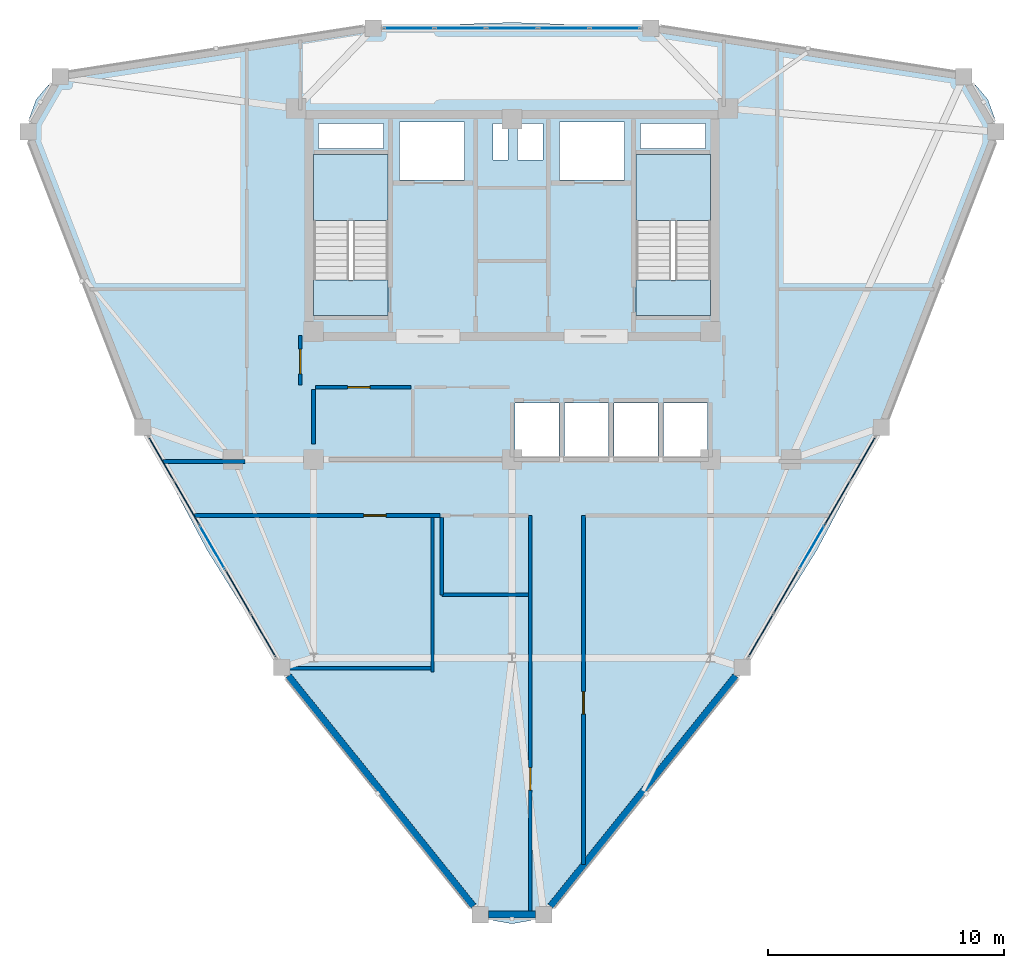
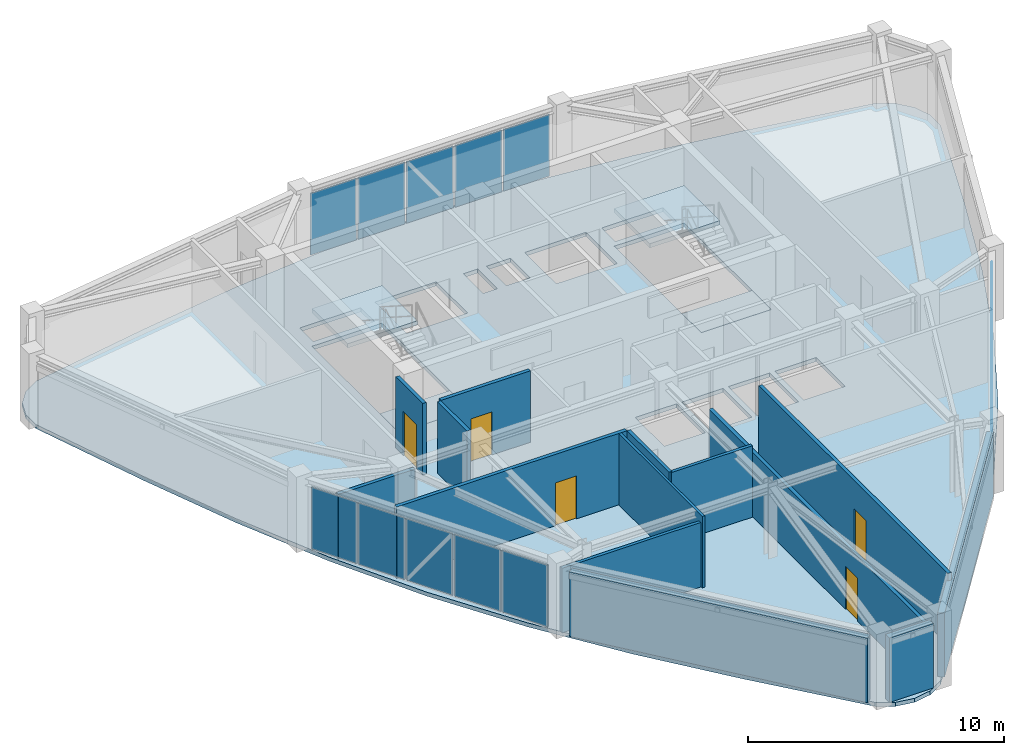
# One storey, part 11 of 15: 15 plates, 14 walls, 5 doors, 5 slabs, 5 openings, 5 elements without a shape of their own.
"""IFC4 building model written with IfcOpenShell, lengths in metres."""

import ifcopenshell
import ifcopenshell.guid

model = None  # the IFC model being written
_history = None  # IfcOwnerHistory: only IFC2X3 demands one
_inside = {}  # id of a spatial element -> (the spatial element, [elements in it])
_under = {}  # id of a project, library or spatial element -> (it, [spatial elements below it])
_declared = {}  # id of a project -> (the project, [libraries it declares])
_typed = {}  # id of a type object -> (the type object, [elements of that type])
_made_of = {}  # id of a material, layer set ... -> (it, [elements and type objects made of it])


def new_model(schema):
    """Start an empty IFC model of exactly this schema.

    Asked for "IFC4X3", IfcOpenShell would pick the latest addendum, in which some entities
    have other attributes; the version numbers below select the first issue.
    IFC2X3 requires an IfcOwnerHistory on every rooted entity: one is made here for all.
    """
    global model, _history
    if schema == "IFC4X3":
        model = ifcopenshell.file(schema_version=(4, 3, 0, 0))
    else:
        model = ifcopenshell.file(schema=schema)
    _inside.clear()
    _under.clear()
    _declared.clear()
    _typed.clear()
    _made_of.clear()
    _history = None
    if model.schema == "IFC2X3":
        org = make("IfcOrganization", Name="unknown")
        user = make(
            "IfcPersonAndOrganization",
            ThePerson=make("IfcPerson", FamilyName="unknown"),
            TheOrganization=org,
        )
        app = make(
            "IfcApplication",
            ApplicationDeveloper=org,
            Version="unknown",
            ApplicationFullName="unknown",
            ApplicationIdentifier="unknown",
        )
        _history = make(
            "IfcOwnerHistory",
            OwningUser=user,
            OwningApplication=app,
            ChangeAction="ADDED",
            CreationDate=0,
        )
    return model


def make(cls, **values):
    """One entity of the class cls with the attributes given. An attribute that is None is left unset."""
    return model.create_entity(
        cls, **{name: value for name, value in values.items() if value is not None}
    )


def rooted(cls, **values):
    """An entity with a GlobalId (a new one), such as an element, a storey or a relation."""
    return make(cls, GlobalId=ifcopenshell.guid.new(), OwnerHistory=_history, **values)


def si_unit(unit_type, name, prefix=None):
    """IfcSIUnit, for example si_unit("LENGTHUNIT", "METRE", prefix="MILLI")."""
    return make("IfcSIUnit", UnitType=unit_type, Prefix=prefix, Name=name)


def derived_unit(unit_type, elements):
    """IfcDerivedUnit: a product of units, each with its exponent."""
    return make(
        "IfcDerivedUnit",
        Elements=[
            make("IfcDerivedUnitElement", Unit=unit, Exponent=power)
            for unit, power in elements
        ],
        UnitType=unit_type,
    )


def assignment(units):
    """IfcUnitAssignment: the units of a project."""
    return None if units is None else make("IfcUnitAssignment", Units=units)


def point(xyz):
    """IfcCartesianPoint."""
    return None if xyz is None else make("IfcCartesianPoint", Coordinates=xyz)


def direction(xyz):
    """IfcDirection."""
    return None if xyz is None else make("IfcDirection", DirectionRatios=xyz)


def frame(location, z_axis=None, x_axis=None):
    """IfcAxis2Placement3D, a coordinate frame: its origin and axes. An axis left out is left unset."""
    return make(
        "IfcAxis2Placement3D",
        Location=point(location),
        Axis=direction(z_axis),
        RefDirection=direction(x_axis),
    )


def frame_2d(location, x_axis=None):
    """IfcAxis2Placement2D, a coordinate frame in the plane: its origin and x axis."""
    return make(
        "IfcAxis2Placement2D", Location=point(location), RefDirection=direction(x_axis)
    )


def origin():
    """The frame at (0, 0, 0) with its axes left unset."""
    return frame((0.0, 0.0, 0.0))


def origin_2d():
    """The frame at (0, 0) in the plane with its x axis left unset."""
    return frame_2d((0.0, 0.0))


def place(relative_to, where):
    """IfcLocalPlacement: puts the frame where relative to a parent placement (None: the world)."""
    return make(
        "IfcLocalPlacement", PlacementRelTo=relative_to, RelativePlacement=where
    )


def context(
    kind, dimensions, precision=None, world=None, true_north=None, identifier=None
):
    """IfcGeometricRepresentationContext, for example the 3D "Model" context."""
    return make(
        "IfcGeometricRepresentationContext",
        ContextIdentifier=identifier,
        ContextType=kind,
        CoordinateSpaceDimension=dimensions,
        Precision=precision,
        WorldCoordinateSystem=world,
        TrueNorth=true_north,
    )


def subcontext(parent, identifier, kind, view, scale=None):
    """IfcGeometricRepresentationSubContext, for example "Body" below "Model"."""
    return make(
        "IfcGeometricRepresentationSubContext",
        ContextIdentifier=identifier,
        ContextType=kind,
        ParentContext=parent,
        TargetScale=scale,
        TargetView=view,
    )


def project(units=None, contexts=None):
    """IfcProject with its units and contexts."""
    return rooted(
        "IfcProject",
        Name="project",
        RepresentationContexts=contexts,
        UnitsInContext=assignment(units),
    )


def spatial(cls, under=None, at=None, **own):
    """A site, building, storey or space (cls), placed at a placement, below another one or the project."""
    s = rooted(cls, ObjectPlacement=at, **own)
    if under is not None:
        _under.setdefault(under.id(), (under, []))[1].append(s)
    return s


def polyline(points):
    """IfcPolyline through the points."""
    return make("IfcPolyline", Points=[point(p) for p in points])


def profile(cls, at=None, kind="AREA", **sizes):
    """A parametric profile (cls). Its sizes go by their IFC names, for example OverallWidth=200.0."""
    return make(cls, ProfileType=kind, Position=at, **sizes)


def rectangle(**sizes):
    """IfcRectangleProfileDef."""
    return profile("IfcRectangleProfileDef", **sizes)


def outline(outer, holes=None, kind="AREA"):
    """IfcArbitraryClosedProfileDef: a profile drawn as a closed curve; with holes, ...WithVoids."""
    if holes is None:
        return make("IfcArbitraryClosedProfileDef", ProfileType=kind, OuterCurve=outer)
    return make(
        "IfcArbitraryProfileDefWithVoids",
        ProfileType=kind,
        OuterCurve=outer,
        InnerCurves=holes,
    )


def extrude(swept, where, along, depth):
    """IfcExtrudedAreaSolid: the profile swept, set in the frame where, extruded along a direction by depth."""
    return make(
        "IfcExtrudedAreaSolid",
        SweptArea=swept,
        Position=where,
        ExtrudedDirection=direction(along),
        Depth=depth,
    )


def shape(context_of_items, identifier, shape_type, items):
    """IfcShapeRepresentation: the items that make up one representation, for example the "Body"."""
    return make(
        "IfcShapeRepresentation",
        ContextOfItems=context_of_items,
        RepresentationIdentifier=identifier,
        RepresentationType=shape_type,
        Items=items,
    )


def source(mapping_origin, context_of_items, identifier, shape_type, items):
    """IfcRepresentationMap: a shape defined once, which mapped items show again and again."""
    return make(
        "IfcRepresentationMap",
        MappingOrigin=mapping_origin,
        MappedRepresentation=shape(context_of_items, identifier, shape_type, items),
    )


def transform(
    local_origin,
    x_axis=None,
    y_axis=None,
    z_axis=None,
    scale=None,
    scale2=None,
    scale3=None,
    uniform=True,
):
    """IfcCartesianTransformationOperator3D, or its non-uniform kind. x_axis, y_axis, z_axis: its Axis1, 2, 3."""
    if uniform:
        return make(
            "IfcCartesianTransformationOperator3D",
            Axis1=direction(x_axis),
            Axis2=direction(y_axis),
            LocalOrigin=point(local_origin),
            Scale=scale,
            Axis3=direction(z_axis),
        )
    return make(
        "IfcCartesianTransformationOperator3DnonUniform",
        Axis1=direction(x_axis),
        Axis2=direction(y_axis),
        LocalOrigin=point(local_origin),
        Scale=scale,
        Axis3=direction(z_axis),
        Scale2=scale2,
        Scale3=scale3,
    )


def mapped(mapping_source, mapping_target):
    """IfcMappedItem: shows the shape of a source again, moved by a transform."""
    return make(
        "IfcMappedItem", MappingSource=mapping_source, MappingTarget=mapping_target
    )


def material(Name=None, Category=None):
    """IfcMaterial."""
    return make("IfcMaterial", Name=Name, Category=Category)


def layer(
    of_material, thickness, ventilated=None, Name=None, Category=None, Priority=None
):
    """IfcMaterialLayer: one layer of a wall or slab, of a material (None: an air gap)."""
    return make(
        "IfcMaterialLayer",
        Material=of_material,
        LayerThickness=thickness,
        IsVentilated=ventilated,
        Name=Name,
        Category=Category,
        Priority=Priority,
    )


def layer_set(layers, Name=None):
    """IfcMaterialLayerSet."""
    return make("IfcMaterialLayerSet", MaterialLayers=layers, LayerSetName=Name)


def made_of(thing, what):
    """Note that an element or type object is made of a material, layer set ...; save() writes the relation."""
    if what is not None:
        _made_of.setdefault(what.id(), (what, []))[1].append(thing)
    return thing


def type_object(cls, material=None, **own):
    """A type object (cls), such as IfcWallType, which elements share."""
    return made_of(rooted(cls, **own), material)


def element(
    cls,
    number,
    at=None,
    inside=None,
    cuts=None,
    type_object=None,
    material=None,
    context=None,
    identifier="Body",
    shape_type=None,
    held_by="IfcProductDefinitionShape",
    body=None,
    shapes=None,
    **own,
):
    """One element of the class cls, such as IfcWall. Its Tag is "e" and its number.

    at: its placement. inside: the storey or other place that contains it. cuts: it is an
    opening in that element (IfcRelVoidsElement). A single representation is given by context,
    identifier, shape_type and body (its items); several are given by shapes. held_by: the class
    of the entity that holds the representations. save() writes the other relations.
    """
    e = rooted(cls, Tag="e%d" % number, ObjectPlacement=at, **own)
    if body is not None:
        shapes = [shape(context, identifier, shape_type, body)]
    if shapes is not None:
        e.Representation = make(held_by, Representations=shapes)
    if inside is not None:
        _inside.setdefault(inside.id(), (inside, []))[1].append(e)
    if cuts is not None:
        rooted(
            "IfcRelVoidsElement", RelatingBuildingElement=cuts, RelatedOpeningElement=e
        )
    if type_object is not None:
        _typed.setdefault(type_object.id(), (type_object, []))[1].append(e)
    return made_of(e, material)


def fill(opening, filler):
    """IfcRelFillsElement: the door or window that sits in an opening."""
    return rooted(
        "IfcRelFillsElement",
        RelatingOpeningElement=opening,
        RelatedBuildingElement=filler,
    )


def aggregate(whole, parts):
    """IfcRelAggregates: a whole, such as a stair, and the parts it consists of."""
    return rooted("IfcRelAggregates", RelatingObject=whole, RelatedObjects=parts)


def save(model, path):
    """Write the relations noted so far, then the file.

    IfcRelAggregates (storeys below a building ...), IfcRelContainedInSpatialStructure (elements
    in a storey), IfcRelDefinesByType, IfcRelAssociatesMaterial and IfcRelDeclares: one each for
    every whole, place, type object, material and project.
    """
    for whole, parts in _under.values():
        aggregate(whole, parts)
    for where, things in _inside.values():
        rooted(
            "IfcRelContainedInSpatialStructure",
            RelatedElements=things,
            RelatingStructure=where,
        )
    for kind, things in _typed.values():
        rooted("IfcRelDefinesByType", RelatedObjects=things, RelatingType=kind)
    for what, things in _made_of.values():
        rooted("IfcRelAssociatesMaterial", RelatedObjects=things, RelatingMaterial=what)
    for by, libraries in _declared.values():
        rooted("IfcRelDeclares", RelatingContext=by, RelatedDefinitions=libraries)
    model.write(path)


model = new_model("IFC4")

# Units and contexts
model_context = context("Model", 3, precision=1e-05, world=origin(), true_north=direction((0.0, 1.0)))
body_context = subcontext(model_context, "Body", "Model", "MODEL_VIEW")
ifc_project = project(units=[si_unit("LENGTHUNIT", "METRE"), si_unit("AREAUNIT", "SQUARE_METRE"), si_unit("VOLUMEUNIT", "CUBIC_METRE"), si_unit("PLANEANGLEUNIT", "RADIAN"), si_unit("MASSUNIT", "GRAM", prefix="KILO"), derived_unit("THERMALTRANSMITTANCEUNIT", [(si_unit("POWERUNIT", "WATT"), 1), (si_unit("LENGTHUNIT", "METRE"), -2), (si_unit("THERMODYNAMICTEMPERATUREUNIT", "KELVIN"), -1)])], contexts=[model_context])

# Site, building, storey
site_placement = place(None, origin())
site = spatial("IfcSite", under=ifc_project, at=site_placement, CompositionType="ELEMENT")
building_placement = place(site_placement, origin())
building = spatial("IfcBuilding", under=site, at=building_placement, Name="Korsvarv Bourse and Concert Hall", CompositionType="ELEMENT")
storey_placement = place(building_placement, frame((0.0, 0.0, 268.199951171875)))
storey = spatial("IfcBuildingStorey", under=building, at=storey_placement, Name="L70", CompositionType="ELEMENT", Elevation=268.199951171875)

# Slabs
ifc_material_1 = material(Name="Precast concrete C45/55", Category="concrete")
ifc_layer_1 = layer(ifc_material_1, 0.199951171875)
ifc_layer_set_1 = layer_set([ifc_layer_1], Name="Precast concrete C45/55")
slab_type_1 = type_object("IfcSlabType", Name="SLB-FLND-T", PredefinedType="LANDING", material=ifc_layer_set_1)
slab_1_placement = place(storey_placement, frame((0.0, 0.0, -0.199951171875)))
element("IfcSlab", 1, at=slab_1_placement, inside=storey, type_object=slab_type_1, Name="L70 Stair ST-T1 Floor Landing Slab", PredefinedType="LANDING", context=body_context, shape_type="SweptSolid", body=[
    extrude(outline(polyline([(30.760009765625, 38.5), (30.760009765625, 40.0), (27.60009765625, 40.0), (27.60009765625, 38.5), (30.760009765625, 38.5)])), origin(), (0.0, 0.0, 1.0), 0.199951171875),
])
slab_2_placement = place(storey_placement, frame((0.0, 0.0, -0.199951171875)))
element("IfcSlab", 2, at=slab_2_placement, inside=storey, type_object=slab_type_1, Name="L70 Stair ST-T2 Floor Landing Slab", PredefinedType="LANDING", context=body_context, shape_type="SweptSolid", body=[
    extrude(outline(polyline([(44.39990234375, 38.5), (44.39990234375, 40.0), (41.239990234375, 40.0), (41.239990234375, 38.5), (44.39990234375, 38.5)])), origin(), (0.0, 0.0, 1.0), 0.199951171875),
])

# Stair, slab
stair_type = type_object("IfcStairType", Name="STR-TYPE-04", PredefinedType="HALF_TURN_STAIR", material=ifc_material_1)
stair_1_placement = place(storey_placement, origin())
stair_1 = element("IfcStair", 3, at=stair_1_placement, inside=storey, type_object=stair_type, Name="L70 Tower West Exit Stair ST-T1", PredefinedType="HALF_TURN_STAIR")
ifc_layer_2 = layer(ifc_material_1, 0.199951171875)
ifc_layer_set_2 = layer_set([ifc_layer_2], Name="Precast concrete C45/55")
slab_type_2 = type_object("IfcSlabType", Name="SLB-ST-LND", PredefinedType="LANDING", material=ifc_layer_set_2)
slab_3_placement = place(storey_placement, frame((0.0, 0.0, 1.60009765625)))
slab_3 = element("IfcSlab", 4, at=slab_3_placement, type_object=slab_type_2, Name="ST-T1 landing 1", PredefinedType="LANDING", context=body_context, shape_type="SweptSolid", body=[
    extrude(outline(polyline([(30.760009765625, 42.52001953125), (30.760009765625, 45.300048828125), (27.60009765625, 45.300048828125), (27.60009765625, 42.52001953125), (30.760009765625, 42.52001953125)])), origin(), (0.0, 0.0, 1.0), 0.199951171875),
])
aggregate(stair_1, [slab_3])

stair_2_placement = place(storey_placement, origin())
stair_2 = element("IfcStair", 5, at=stair_2_placement, inside=storey, type_object=stair_type, Name="L70 Tower East Exit Stair ST-T2", PredefinedType="HALF_TURN_STAIR")
slab_4_placement = place(storey_placement, frame((0.0, 0.0, 1.60009765625)))
slab_4 = element("IfcSlab", 6, at=slab_4_placement, type_object=slab_type_2, Name="ST-T2 landing 1", PredefinedType="LANDING", context=body_context, shape_type="SweptSolid", body=[
    extrude(outline(polyline([(44.39990234375, 42.52001953125), (44.39990234375, 45.300048828125), (41.239990234375, 45.300048828125), (41.239990234375, 42.52001953125), (44.39990234375, 42.52001953125)])), origin(), (0.0, 0.0, 1.0), 0.199951171875),
])
aggregate(stair_2, [slab_4])

# Slab
ifc_material_2 = material(Name="Concrete C45/55", Category="concrete")
ifc_layer_3 = layer(ifc_material_2, 0.18994140625)
ifc_layer_set_3 = layer_set([ifc_layer_3], Name="Concrete C45/55")
slab_type_3 = type_object("IfcSlabType", Name="SLB-TW3", PredefinedType="FLOOR", material=ifc_layer_set_3)
slab_5_placement = place(storey_placement, frame((0.0, 0.0, -0.18994140625)))
element("IfcSlab", 7, at=slab_5_placement, inside=storey, type_object=slab_type_3, Name="L70 tower structural floor slab", PredefinedType="FLOOR", context=body_context, shape_type="SweptSolid", body=[
    extrude(outline(polyline([(56.08740234375, 45.17529296875), (54.519287109375, 40.856201171875), (52.853515625, 36.618408203125), (51.00048828125, 32.50830078125), (48.89892578125, 28.552734375), (46.524169921875, 24.755126953125), (43.891357421875, 21.09521484375), (41.05419921875, 17.53369140625), (38.09716796875, 14.015625), (37.482421875, 13.283203125), (36.788818359375, 12.8828125), (36.0, 12.74365234375), (35.211181640625, 12.8828125), (34.517578125, 13.283203125), (33.90234375, 14.01611328125), (30.94580078125, 17.53369140625), (28.108642578125, 21.09521484375), (25.475830078125, 24.755126953125), (23.10107421875, 28.552734375), (20.99951171875, 32.50830078125), (19.146484375, 36.618408203125), (17.480712890625, 40.856201171875), (15.912353515625, 45.176025390625), (15.58544921875, 46.074462890625), (15.58544921875, 46.87548828125), (15.859375, 47.628173828125), (16.374267578125, 48.24169921875), (17.06787109375, 48.642333984375), (18.01025390625, 48.80859375), (22.53466796875, 49.610107421875), (27.037841796875, 50.28662109375), (31.523681640625, 50.73681640625), (36.0, 50.89453125), (40.476318359375, 50.73681640625), (44.962158203125, 50.28662109375), (49.46533203125, 49.610107421875), (53.990478515625, 48.808349609375), (54.93212890625, 48.642333984375), (55.625732421875, 48.24169921875), (56.140625, 47.628173828125), (56.41455078125, 46.87548828125), (56.41455078125, 46.074462890625), (56.08740234375, 45.17529296875)]), holes=[polyline([(30.760009765625, 38.5), (30.760009765625, 45.300048828125), (27.60009765625, 45.300048828125), (27.60009765625, 38.5), (30.760009765625, 38.5)]), polyline([(44.39990234375, 38.5), (44.39990234375, 45.300048828125), (41.239990234375, 45.300048828125), (41.239990234375, 38.5), (44.39990234375, 38.5)]), polyline([(31.239990234375, 44.219970703125), (34.0, 44.219970703125), (34.0, 46.679931640625), (31.239990234375, 46.679931640625), (31.239990234375, 44.219970703125)]), polyline([(38.0, 44.219970703125), (40.760009765625, 44.219970703125), (40.760009765625, 46.679931640625), (38.0, 46.679931640625), (38.0, 44.219970703125)]), polyline([(36.1201171875, 32.52001953125), (37.97998046875, 32.52001953125), (37.97998046875, 34.780029296875), (36.1201171875, 34.780029296875), (36.1201171875, 32.52001953125)]), polyline([(38.219970703125, 32.52001953125), (40.080078125, 32.52001953125), (40.080078125, 34.780029296875), (38.219970703125, 34.780029296875), (38.219970703125, 32.52001953125)]), polyline([(40.320068359375, 32.52001953125), (42.179931640625, 32.52001953125), (42.179931640625, 34.780029296875), (40.320068359375, 34.780029296875), (40.320068359375, 32.52001953125)]), polyline([(42.419921875, 32.52001953125), (44.280029296875, 32.52001953125), (44.280029296875, 34.780029296875), (42.419921875, 34.780029296875), (42.419921875, 32.52001953125)]), polyline([(27.800048828125, 45.56005859375), (30.56005859375, 45.56005859375), (30.56005859375, 46.6201171875), (27.800048828125, 46.6201171875), (27.800048828125, 45.56005859375)]), polyline([(41.43994140625, 45.56005859375), (44.199951171875, 45.56005859375), (44.199951171875, 46.6201171875), (41.43994140625, 46.6201171875), (41.43994140625, 45.56005859375)]), polyline([(35.199951171875, 45.080078125), (35.840087890625, 45.080078125), (35.840087890625, 46.6201171875), (35.199951171875, 46.6201171875), (35.199951171875, 45.080078125)]), polyline([(36.239990234375, 45.080078125), (37.320068359375, 45.080078125), (37.320068359375, 46.6201171875), (36.239990234375, 46.6201171875), (36.239990234375, 45.080078125)])]), origin(), (0.0, 0.0, 1.0), 0.18994140625),
])

# Curtain wall, plates
ifc_material_3 = material(Name="Anodised aluminium and triple low-E glazing", Category="glass")
ifc_layer_4 = layer(ifc_material_3, 0.199951171875)
ifc_layer_set_4 = layer_set([ifc_layer_4], Name="Anodised aluminium and triple low-E glazing")
curtain_wall_type = type_object("IfcCurtainWallType", Name="CW-SYS-3", PredefinedType="NOTDEFINED", material=ifc_layer_set_4)
curtain_wall_1_placement = place(storey_placement, origin())
curtain_wall_1 = element("IfcCurtainWall", 8, at=curtain_wall_1_placement, inside=storey, type_object=curtain_wall_type, Name="L70 CW3 curtain wall CW-L70-F03", PredefinedType="NOTDEFINED")
ifc_material_4 = material(Name="Tempered triple insulated low-E architectural glass", Category="glass")
ifc_layer_5 = layer(ifc_material_4, 0.0380859375)
ifc_layer_set_5 = layer_set([ifc_layer_5], Name="Tempered triple insulated low-E architectural glass")
plate_type_1 = type_object("IfcPlateType", Name="CWP-VIS2", PredefinedType="CURTAIN_PANEL", material=ifc_layer_set_5)
shared_shape_1 = source(origin(), body_context, "Body", "SweptSolid", [
    extrude(rectangle(XDim=2.082763671875, YDim=0.0380859375, at=origin_2d()), origin(), (0.0, 0.0, 1.0), 2.949951171875),
])
plate_1_placement = place(storey_placement, frame((40.358154296875, 50.646728515625, 0.06494140625), z_axis=(0.0, 0.0, 1.0), x_axis=(-1.0, 0.0, 0.0)))
plate_1 = element("IfcPlate", 9, at=plate_1_placement, type_object=plate_type_1, Name="CW3 faceted panel 1.1", PredefinedType="CURTAIN_PANEL", context=body_context, shape_type="MappedRepresentation", body=[
    mapped(shared_shape_1, transform((0.0, 0.0, 0.0), scale=1.0)),
])
plate_2_placement = place(storey_placement, frame((31.641845703125, 50.646728515625, 0.06494140625), z_axis=(0.0, 0.0, 1.0), x_axis=(-1.0, 0.0, 0.0)))
plate_2 = element("IfcPlate", 10, at=plate_2_placement, type_object=plate_type_1, Name="CW3 faceted panel 5.1", PredefinedType="CURTAIN_PANEL", context=body_context, shape_type="MappedRepresentation", body=[
    mapped(shared_shape_1, transform((0.0, 0.0, 0.0), scale=1.0)),
])
shared_shape_2 = source(origin(), body_context, "Body", "SweptSolid", [
    extrude(rectangle(XDim=2.117919921875, YDim=0.0380859375, at=origin_2d()), origin(), (0.0, 0.0, 1.0), 2.949951171875),
])
plate_3_placement = place(storey_placement, frame((38.187744140625, 50.646728515625, 0.06494140625), z_axis=(0.0, 0.0, 1.0), x_axis=(-1.0, 0.0, 0.0)))
plate_3 = element("IfcPlate", 11, at=plate_3_placement, type_object=plate_type_1, Name="CW3 faceted panel 2.1", PredefinedType="CURTAIN_PANEL", context=body_context, shape_type="MappedRepresentation", body=[
    mapped(shared_shape_2, transform((0.0, 0.0, 0.0), scale=1.0)),
])
plate_4_placement = place(storey_placement, frame((33.812255859375, 50.646728515625, 0.06494140625), z_axis=(0.0, 0.0, 1.0), x_axis=(-1.0, 0.0, 0.0)))
plate_4 = element("IfcPlate", 12, at=plate_4_placement, type_object=plate_type_1, Name="CW3 faceted panel 4.1", PredefinedType="CURTAIN_PANEL", context=body_context, shape_type="MappedRepresentation", body=[
    mapped(shared_shape_2, transform((0.0, 0.0, 0.0), scale=1.0)),
])
ifc_material_5 = material(Name="Insulated spandrel glass", Category="glass")
ifc_layer_6 = layer(ifc_material_5, 0.031982421875)
ifc_layer_set_6 = layer_set([ifc_layer_6], Name="Insulated spandrel glass")
plate_type_2 = type_object("IfcPlateType", Name="CWP-SPD1", PredefinedType="CURTAIN_PANEL", material=ifc_layer_set_6)
shared_shape_3 = source(origin(), body_context, "Body", "SweptSolid", [
    extrude(rectangle(XDim=2.117919921875, YDim=0.031982421875, at=origin_2d()), origin(), (0.0, 0.0, 1.0), 2.949951171875),
])
plate_5_placement = place(storey_placement, frame((36.0, 50.646728515625, 0.06494140625), z_axis=(0.0, 0.0, 1.0), x_axis=(-1.0, 0.0, 0.0)))
plate_5 = element("IfcPlate", 13, at=plate_5_placement, type_object=plate_type_2, Name="CW3 spandrel shadow-box panel 3.1", PredefinedType="CURTAIN_PANEL", context=body_context, shape_type="MappedRepresentation", body=[
    mapped(shared_shape_3, transform((0.0, 0.0, 0.0), scale=1.0)),
])
aggregate(curtain_wall_1, [plate_1, plate_3, plate_5, plate_4, plate_2])

curtain_wall_2_placement = place(storey_placement, origin())
curtain_wall_2 = element("IfcCurtainWall", 14, at=curtain_wall_2_placement, inside=storey, type_object=curtain_wall_type, Name="L70 CW3 curtain wall CW-L70-F07", PredefinedType="NOTDEFINED")
shared_shape_4 = source(origin(), body_context, "Body", "SweptSolid", [
    extrude(rectangle(XDim=2.05810546875, YDim=0.0380859375, at=origin_2d()), origin(), (0.0, 0.0, 1.0), 2.949951171875),
])
plate_6_placement = place(storey_placement, frame((21.1611328125, 32.407958984375, 0.06494140625), z_axis=(0.0, 0.0, 1.0), x_axis=(0.500004450195, -0.866022834448, 0.0)))
plate_6 = element("IfcPlate", 15, at=plate_6_placement, type_object=plate_type_1, Name="CW3 faceted panel 1.1", PredefinedType="CURTAIN_PANEL", context=body_context, shape_type="MappedRepresentation", body=[
    mapped(shared_shape_4, transform((0.0, 0.0, 0.0), scale=1.0)),
])
plate_7_placement = place(storey_placement, frame((25.469970703125, 24.9453125, 0.06494140625), z_axis=(0.0, 0.0, 1.0), x_axis=(0.500004450195, -0.866022834448, 0.0)))
plate_7 = element("IfcPlate", 16, at=plate_7_placement, type_object=plate_type_1, Name="CW3 faceted panel 5.1", PredefinedType="CURTAIN_PANEL", context=body_context, shape_type="MappedRepresentation", body=[
    mapped(shared_shape_4, transform((0.0, 0.0, 0.0), scale=1.0)),
])

curtain_wall_3_placement = place(storey_placement, origin())
curtain_wall_3 = element("IfcCurtainWall", 17, at=curtain_wall_3_placement, inside=storey, type_object=curtain_wall_type, Name="L70 CW3 curtain wall CW-L70-F11", PredefinedType="NOTDEFINED")
plate_8_placement = place(storey_placement, frame((46.530029296875, 24.9453125, 0.06494140625), z_axis=(0.0, 0.0, 1.0), x_axis=(0.500004450195, 0.866022834448, 0.0)))
plate_8 = element("IfcPlate", 18, at=plate_8_placement, type_object=plate_type_1, Name="CW3 faceted panel 1.1", PredefinedType="CURTAIN_PANEL", context=body_context, shape_type="MappedRepresentation", body=[
    mapped(shared_shape_4, transform((0.0, 0.0, 0.0), scale=1.0)),
])
plate_9_placement = place(storey_placement, frame((50.8388671875, 32.407958984375, 0.06494140625), z_axis=(0.0, 0.0, 1.0), x_axis=(0.500004450195, 0.866022834448, 0.0)))
plate_9 = element("IfcPlate", 19, at=plate_9_placement, type_object=plate_type_1, Name="CW3 faceted panel 5.1", PredefinedType="CURTAIN_PANEL", context=body_context, shape_type="MappedRepresentation", body=[
    mapped(shared_shape_4, transform((0.0, 0.0, 0.0), scale=1.0)),
])

# Plate
shared_shape_5 = source(origin(), body_context, "Body", "SweptSolid", [
    extrude(rectangle(XDim=2.093017578125, YDim=0.0380859375, at=origin_2d()), origin(), (0.0, 0.0, 1.0), 2.949951171875),
])
plate_10_placement = place(storey_placement, frame((22.234130859375, 30.5498046875, 0.06494140625), z_axis=(0.0, 0.0, 1.0), x_axis=(0.500004450195, -0.866022834448, 0.0)))
plate_10 = element("IfcPlate", 20, at=plate_10_placement, type_object=plate_type_1, Name="CW3 faceted panel 2.1", PredefinedType="CURTAIN_PANEL", context=body_context, shape_type="MappedRepresentation", body=[
    mapped(shared_shape_5, transform((0.0, 0.0, 0.0), scale=1.0)),
])

plate_11_placement = place(storey_placement, frame((24.39697265625, 26.803466796875, 0.06494140625), z_axis=(0.0, 0.0, 1.0), x_axis=(0.500004450195, -0.866022834448, 0.0)))
plate_11 = element("IfcPlate", 21, at=plate_11_placement, type_object=plate_type_1, Name="CW3 faceted panel 4.1", PredefinedType="CURTAIN_PANEL", context=body_context, shape_type="MappedRepresentation", body=[
    mapped(shared_shape_5, transform((0.0, 0.0, 0.0), scale=1.0)),
])

plate_12_placement = place(storey_placement, frame((47.60302734375, 26.803466796875, 0.06494140625), z_axis=(0.0, 0.0, 1.0), x_axis=(0.500004450195, 0.866022834448, 0.0)))
plate_12 = element("IfcPlate", 22, at=plate_12_placement, type_object=plate_type_1, Name="CW3 faceted panel 2.1", PredefinedType="CURTAIN_PANEL", context=body_context, shape_type="MappedRepresentation", body=[
    mapped(shared_shape_5, transform((0.0, 0.0, 0.0), scale=1.0)),
])

plate_13_placement = place(storey_placement, frame((49.765869140625, 30.5498046875, 0.06494140625), z_axis=(0.0, 0.0, 1.0), x_axis=(0.500004450195, 0.866022834448, 0.0)))
plate_13 = element("IfcPlate", 23, at=plate_13_placement, type_object=plate_type_1, Name="CW3 faceted panel 4.1", PredefinedType="CURTAIN_PANEL", context=body_context, shape_type="MappedRepresentation", body=[
    mapped(shared_shape_5, transform((0.0, 0.0, 0.0), scale=1.0)),
])

shared_shape_6 = source(origin(), body_context, "Body", "SweptSolid", [
    extrude(rectangle(XDim=2.093017578125, YDim=0.031982421875, at=origin_2d()), origin(), (0.0, 0.0, 1.0), 2.949951171875),
])
plate_14_placement = place(storey_placement, frame((23.3154296875, 28.6767578125, 0.06494140625), z_axis=(0.0, 0.0, 1.0), x_axis=(0.500004450195, -0.866022834448, 0.0)))
plate_14 = element("IfcPlate", 24, at=plate_14_placement, type_object=plate_type_2, Name="CW3 spandrel shadow-box panel 3.1", PredefinedType="CURTAIN_PANEL", context=body_context, shape_type="MappedRepresentation", body=[
    mapped(shared_shape_6, transform((0.0, 0.0, 0.0), scale=1.0)),
])

aggregate(curtain_wall_2, [plate_6, plate_10, plate_14, plate_11, plate_7])

plate_15_placement = place(storey_placement, frame((48.6845703125, 28.6767578125, 0.06494140625), z_axis=(0.0, 0.0, 1.0), x_axis=(0.500004450195, 0.866022834448, 0.0)))
plate_15 = element("IfcPlate", 25, at=plate_15_placement, type_object=plate_type_2, Name="CW3 spandrel shadow-box panel 3.1", PredefinedType="CURTAIN_PANEL", context=body_context, shape_type="MappedRepresentation", body=[
    mapped(shared_shape_6, transform((0.0, 0.0, 0.0), scale=1.0)),
])

aggregate(curtain_wall_3, [plate_8, plate_12, plate_15, plate_13, plate_9])

# Walls
ifc_material_6 = material(Name="Precast concrete C45/55 with terracotta rainscreen", Category="concrete")
ifc_layer_7 = layer(ifc_material_6, 0.300048828125)
ifc_layer_set_7 = layer_set([ifc_layer_7], Name="Precast concrete C45/55 with terracotta rainscreen")
wall_type_1 = type_object("IfcWallType", Name="WL-EXT-TC1", PredefinedType="SOLIDWALL", material=ifc_layer_set_7)
wall_1_placement = place(storey_placement, frame((35.0087890625, 13.135498046875, 0.0), z_axis=(0.0, 0.0, 1.0), x_axis=(1.0, 0.0, 0.0)))
element("IfcWall", 26, at=wall_1_placement, inside=storey, type_object=wall_type_1, Name="L70 terracotta exterior wall EW-L70-B09", PredefinedType="SOLIDWALL", context=body_context, shape_type="SweptSolid", body=[
    extrude(rectangle(XDim=1.982421875, YDim=0.300048828125, at=frame_2d((0.9912109375, 0.0))), origin(), (0.0, 0.0, 1.0), 3.080078125),
])
ifc_material_7 = material(Name="Precast concrete C45/55 with fluted terracotta pier", Category="concrete")
ifc_layer_8 = layer(ifc_material_7, 0.280029296875)
ifc_layer_set_8 = layer_set([ifc_layer_8], Name="Precast concrete C45/55 with fluted terracotta pier")
wall_type_2 = type_object("IfcWallType", Name="WL-EXT-TC2", PredefinedType="SOLIDWALL", material=ifc_layer_set_8)
wall_2_placement = place(storey_placement, frame((26.53564453125, 23.238525390625, 0.0), z_axis=(0.0, 0.0, 1.0), x_axis=(0.626367381926, -0.779528000048, 0.0)))
element("IfcWall", 27, at=wall_2_placement, inside=storey, type_object=wall_type_2, Name="L70 terracotta exterior wall EW-L70-B08", PredefinedType="SOLIDWALL", context=body_context, shape_type="SweptSolid", body=[
    extrude(rectangle(XDim=12.505126953125, YDim=0.280029296875, at=frame_2d((6.25244140625, 0.0))), origin(), (0.0, 0.0, 1.0), 3.080078125),
])
wall_3_placement = place(storey_placement, frame((37.631591796875, 13.490478515625, 0.0), z_axis=(0.0, 0.0, 1.0), x_axis=(0.626367381926, 0.779528000048, 0.0)))
element("IfcWall", 28, at=wall_3_placement, inside=storey, type_object=wall_type_2, Name="L70 terracotta exterior wall EW-L70-B10", PredefinedType="SOLIDWALL", context=body_context, shape_type="SweptSolid", body=[
    extrude(rectangle(XDim=12.505126953125, YDim=0.280029296875, at=frame_2d((6.25244140625, 0.0))), origin(), (0.0, 0.0, 1.0), 3.050048828125),
])
ifc_material_8 = material(Name="Double-stud fire-rated acoustic partition", Category="gypsum")
ifc_layer_9 = layer(ifc_material_8, 0.159912109375)
ifc_layer_set_9 = layer_set([ifc_layer_9], Name="Double-stud fire-rated acoustic partition")
wall_type_3 = type_object("IfcWallType", Name="WL-INT-EI60", PredefinedType="PARTITIONING", material=ifc_layer_set_9)
wall_4_placement = place(storey_placement, frame((27.60009765625, 33.050048828125, 0.0), z_axis=(0.0, 0.0, 1.0), x_axis=(0.0, 1.0, 0.0)))
element("IfcWall", 29, at=wall_4_placement, inside=storey, type_object=wall_type_3, Name="L70 interior partition wall W-L70-FRD-W", PredefinedType="PARTITIONING", context=body_context, shape_type="SweptSolid", body=[
    extrude(rectangle(XDim=2.31005859375, YDim=0.159912109375, at=frame_2d((1.155029296875, 0.0))), origin(), (0.0, 0.0, 1.0), 3.41015625),
])

# Wall, opening, door
wall_5_placement = place(storey_placement, frame((27.68994140625, 35.449951171875, 0.0), z_axis=(0.0, 0.0, 1.0), x_axis=(1.0, 0.0, 0.0)))
wall_5 = element("IfcWall", 30, at=wall_5_placement, inside=storey, type_object=wall_type_3, Name="L70 interior partition wall W-L70-FRD-N1", PredefinedType="PARTITIONING", context=body_context, shape_type="SweptSolid", body=[
    extrude(rectangle(XDim=4.030029296875, YDim=0.159912109375, at=frame_2d((2.01513671875, 0.0))), origin(), (0.0, 0.0, 1.0), 3.41015625),
])
opening_1_placement = place(wall_5_placement, frame((1.35009765625, 0.0, 0.0)))
opening_1 = element("IfcOpeningElement", 31, at=opening_1_placement, cuts=wall_5, Name="Opening D-03", PredefinedType="OPENING", context=body_context, shape_type="SweptSolid", body=[
    extrude(rectangle(XDim=0.949951171875, YDim=2.050048828125, at=frame_2d((0.47509765625, 1.02490234375))), frame((0.0, 0.08984375, 0.0), z_axis=(0.0, -1.0, 0.0), x_axis=(1.0, 0.0, 0.0)), (0.0, 0.0, 1.0), 0.179931640625),
])
ifc_material_9 = material(Name="Nordic oak acoustic office door", Category="wood")
door_type_1 = type_object("IfcDoorType", Name="DR-INT-1", OperationType="NOTDEFINED", PredefinedType="DOOR", material=ifc_material_9)
door_1_placement = place(opening_1_placement, origin())
door_1 = element("IfcDoor", 32, at=door_1_placement, inside=storey, type_object=door_type_1, Name="L70 interior door DR-L70-FRDN1", OperationType="SINGLE_SWING_LEFT", OverallHeight=2.050048828125, OverallWidth=0.949951171875, PredefinedType="DOOR", context=body_context, shape_type="SweptSolid", body=[
    extrude(rectangle(XDim=0.949951171875, YDim=2.050048828125, at=frame_2d((0.47509765625, 1.02490234375))), frame((0.0, 0.02490234375, 0.0), z_axis=(0.0, -1.0, 0.0), x_axis=(1.0, 0.0, 0.0)), (0.0, 0.0, 1.0), 0.050048828125),
])
fill(opening_1, door_1)

wall_6_placement = place(storey_placement, frame((27.0400390625, 35.5400390625, 0.0), z_axis=(0.0, 0.0, 1.0), x_axis=(0.0, 1.0, 0.0)))
wall_6 = element("IfcWall", 33, at=wall_6_placement, inside=storey, type_object=wall_type_3, Name="L70 interior partition wall W-L70-LOB-WL", PredefinedType="PARTITIONING", context=body_context, shape_type="SweptSolid", body=[
    extrude(rectangle(XDim=2.10986328125, YDim=0.159912109375, at=frame_2d((1.054931640625, 0.0))), origin(), (0.0, 0.0, 1.0), 3.41015625),
])
opening_2_placement = place(wall_6_placement, frame((0.47998046875, 0.0, 0.0)))
opening_2 = element("IfcOpeningElement", 34, at=opening_2_placement, cuts=wall_6, Name="Opening D-01", PredefinedType="OPENING", context=body_context, shape_type="SweptSolid", body=[
    extrude(rectangle(XDim=1.050048828125, YDim=2.10009765625, at=frame_2d((0.52490234375, 1.050048828125))), frame((0.0, 0.08984375, 0.0), z_axis=(0.0, -1.0, 0.0), x_axis=(1.0, 0.0, 0.0)), (0.0, 0.0, 1.0), 0.179931640625),
])
ifc_material_10 = material(Name="Steel S355 fire door", Category="steel")
door_type_2 = type_object("IfcDoorType", Name="DR-FD60", OperationType="NOTDEFINED", PredefinedType="DOOR", material=ifc_material_10)
door_2_placement = place(opening_2_placement, frame((1.050048828125, 0.0, 0.0), z_axis=(0.0, 0.0, 1.0), x_axis=(-1.0, 0.0, 0.0)))
door_2 = element("IfcDoor", 35, at=door_2_placement, inside=storey, type_object=door_type_2, Name="L70 interior door DR-L70-LOBW", OperationType="SINGLE_SWING_LEFT", OverallHeight=2.10009765625, OverallWidth=1.050048828125, PredefinedType="DOOR", context=body_context, shape_type="SweptSolid", body=[
    extrude(rectangle(XDim=1.050048828125, YDim=2.10009765625, at=frame_2d((0.52490234375, 1.050048828125))), frame((0.0, 0.02490234375, 0.0), z_axis=(0.0, -1.0, 0.0), x_axis=(1.0, 0.0, 0.0)), (0.0, 0.0, 1.0), 0.050048828125),
])
fill(opening_2, door_2)

wall_7_placement = place(storey_placement, frame((36.77490234375, 13.155517578125, 0.0), z_axis=(0.0, 0.0, 1.0), x_axis=(0.0, 1.0, 0.0)))
wall_7 = element("IfcWall", 36, at=wall_7_placement, inside=storey, type_object=wall_type_3, Name="L70 interior partition wall W-L70-TCOR-03", PredefinedType="PARTITIONING", context=body_context, shape_type="SweptSolid", body=[
    extrude(rectangle(XDim=16.87451171875, YDim=0.159912109375, at=frame_2d((8.437255859375, 0.0))), origin(), (0.0, 0.0, 1.0), 3.080078125),
])
opening_3_placement = place(wall_7_placement, frame((5.24462890625, 0.0, 0.0)))
opening_3 = element("IfcOpeningElement", 37, at=opening_3_placement, cuts=wall_7, Name="Opening D-02", PredefinedType="OPENING", context=body_context, shape_type="SweptSolid", body=[
    extrude(rectangle(XDim=0.949951171875, YDim=2.050048828125, at=frame_2d((0.47509765625, 1.02490234375))), frame((0.0, 0.08984375, 0.0), z_axis=(0.0, -1.0, 0.0), x_axis=(1.0, 0.0, 0.0)), (0.0, 0.0, 1.0), 0.179931640625),
])
ifc_material_11 = material(Name="Timber and steel acoustic fire door", Category="wood")
door_type_3 = type_object("IfcDoorType", Name="DR-FD30", OperationType="NOTDEFINED", PredefinedType="DOOR", material=ifc_material_11)
door_3_placement = place(opening_3_placement, origin())
door_3 = element("IfcDoor", 38, at=door_3_placement, inside=storey, type_object=door_type_3, Name="L70 interior door DR-L70-TCOR-FO35", OperationType="SINGLE_SWING_LEFT", OverallHeight=2.050048828125, OverallWidth=0.949951171875, PredefinedType="DOOR", context=body_context, shape_type="SweptSolid", body=[
    extrude(rectangle(XDim=0.949951171875, YDim=2.050048828125, at=frame_2d((0.47509765625, 1.02490234375))), frame((0.0, 0.02490234375, 0.0), z_axis=(0.0, -1.0, 0.0), x_axis=(1.0, 0.0, 0.0)), (0.0, 0.0, 1.0), 0.050048828125),
])
fill(opening_3, door_3)

wall_8_placement = place(storey_placement, frame((39.02490234375, 15.244873046875, 0.0), z_axis=(0.0, 0.0, 1.0), x_axis=(0.0, 1.0, 0.0)))
wall_8 = element("IfcWall", 39, at=wall_8_placement, inside=storey, type_object=wall_type_3, Name="L70 interior partition wall W-L70-TCOR-04", PredefinedType="PARTITIONING", context=body_context, shape_type="SweptSolid", body=[
    extrude(rectangle(XDim=14.78515625, YDim=0.159912109375, at=frame_2d((7.392578125, 0.0))), origin(), (0.0, 0.0, 1.0), 3.41015625),
])
opening_4_placement = place(wall_8_placement, frame((6.376708984375, 0.0, 0.0)))
opening_4 = element("IfcOpeningElement", 40, at=opening_4_placement, cuts=wall_8, Name="Opening D-02", PredefinedType="OPENING", context=body_context, shape_type="SweptSolid", body=[
    extrude(rectangle(XDim=0.949951171875, YDim=2.050048828125, at=frame_2d((0.47509765625, 1.02490234375))), frame((0.0, 0.08984375, 0.0), z_axis=(0.0, -1.0, 0.0), x_axis=(1.0, 0.0, 0.0)), (0.0, 0.0, 1.0), 0.179931640625),
])
door_4_placement = place(opening_4_placement, origin())
door_4 = element("IfcDoor", 41, at=door_4_placement, inside=storey, type_object=door_type_3, Name="L70 interior door DR-L70-TCOR-FO23", OperationType="SINGLE_SWING_RIGHT", OverallHeight=2.050048828125, OverallWidth=0.949951171875, PredefinedType="DOOR", context=body_context, shape_type="SweptSolid", body=[
    extrude(rectangle(XDim=0.949951171875, YDim=2.050048828125, at=frame_2d((0.47509765625, 1.02490234375))), frame((0.0, 0.02490234375, 0.0), z_axis=(0.0, -1.0, 0.0), x_axis=(1.0, 0.0, 0.0)), (0.0, 0.0, 1.0), 0.050048828125),
])
fill(opening_4, door_4)

wall_9_placement = place(storey_placement, frame((22.55712890625, 30.02490234375, 0.0), z_axis=(0.0, 0.0, 1.0), x_axis=(1.0, 0.0, 0.0)))
wall_9 = element("IfcWall", 42, at=wall_9_placement, inside=storey, type_object=wall_type_3, Name="L70 interior partition wall W-L70-TCOR-06", PredefinedType="PARTITIONING", context=body_context, shape_type="SweptSolid", body=[
    extrude(rectangle(XDim=10.395751953125, YDim=0.159912109375, at=frame_2d((5.19775390625, 0.0))), origin(), (0.0, 0.0, 1.0), 3.41015625),
])
opening_5_placement = place(wall_9_placement, frame((7.16552734375, 0.0, 0.0)))
opening_5 = element("IfcOpeningElement", 43, at=opening_5_placement, cuts=wall_9, Name="Opening D-02", PredefinedType="OPENING", context=body_context, shape_type="SweptSolid", body=[
    extrude(rectangle(XDim=0.949951171875, YDim=2.050048828125, at=frame_2d((0.47509765625, 1.02490234375))), frame((0.0, 0.08984375, 0.0), z_axis=(0.0, -1.0, 0.0), x_axis=(1.0, 0.0, 0.0)), (0.0, 0.0, 1.0), 0.179931640625),
])
door_5_placement = place(opening_5_placement, origin())
door_5 = element("IfcDoor", 44, at=door_5_placement, inside=storey, type_object=door_type_3, Name="L70 interior door DR-L70-TCOR-FO16", OperationType="SINGLE_SWING_LEFT", OverallHeight=2.050048828125, OverallWidth=0.949951171875, PredefinedType="DOOR", context=body_context, shape_type="SweptSolid", body=[
    extrude(rectangle(XDim=0.949951171875, YDim=2.050048828125, at=frame_2d((0.47509765625, 1.02490234375))), frame((0.0, 0.02490234375, 0.0), z_axis=(0.0, -1.0, 0.0), x_axis=(1.0, 0.0, 0.0)), (0.0, 0.0, 1.0), 0.050048828125),
])
fill(opening_5, door_5)

# Walls
wall_10_placement = place(storey_placement, frame((21.235107421875, 32.31494140625, 0.0), z_axis=(0.0, 0.0, 1.0), x_axis=(1.0, 0.0, 0.0)))
element("IfcWall", 45, at=wall_10_placement, inside=storey, type_object=wall_type_3, Name="L70 interior partition wall W-L70-TCOR-08", PredefinedType="PARTITIONING", context=body_context, shape_type="SweptSolid", body=[
    extrude(rectangle(XDim=3.4580078125, YDim=0.159912109375, at=frame_2d((1.72900390625, 0.0))), origin(), (0.0, 0.0, 1.0), 3.080078125),
])
ifc_material_12 = material(Name="Demountable acoustic glass and aluminium dealing partition", Category="aluminium")
ifc_layer_10 = layer(ifc_material_12, 0.110107421875)
ifc_layer_set_10 = layer_set([ifc_layer_10], Name="Demountable acoustic glass and aluminium dealing partition")
wall_type_4 = type_object("IfcWallType", Name="WL-INT-MOV", PredefinedType="MOVABLE", material=ifc_layer_set_10)
wall_11_placement = place(storey_placement, frame((32.635009765625, 23.409912109375, 0.0), z_axis=(0.0, 0.0, 1.0), x_axis=(0.0, 1.0, 0.0)))
element("IfcWall", 46, at=wall_11_placement, inside=storey, type_object=wall_type_4, Name="L70 interior partition wall W-L70-TCOR-14", PredefinedType="MOVABLE", context=body_context, shape_type="SweptSolid", body=[
    extrude(rectangle(XDim=6.533203125, YDim=0.110107421875, at=frame_2d((3.2666015625, 0.0))), origin(), (0.0, 0.0, 1.0), 3.41015625),
])
ifc_material_13 = material(Name="Insulated steel-stud office acoustic partition", Category="gypsum")
ifc_layer_11 = layer(ifc_material_13, 0.139892578125)
ifc_layer_set_11 = layer_set([ifc_layer_11], Name="Insulated steel-stud office acoustic partition")
wall_type_5 = type_object("IfcWallType", Name="WL-INT-P1", PredefinedType="PARTITIONING", material=ifc_layer_set_11)
wall_12_placement = place(storey_placement, frame((26.293212890625, 23.56494140625, 0.0), z_axis=(0.0, 0.0, 1.0), x_axis=(1.0, 0.0, 0.0)))
element("IfcWall", 47, at=wall_12_placement, inside=storey, type_object=wall_type_5, Name="L70 interior partition wall W-L70-TCOR-15", PredefinedType="PARTITIONING", context=body_context, shape_type="SweptSolid", body=[
    extrude(rectangle(XDim=6.269775390625, YDim=0.139892578125, at=frame_2d((3.134765625, 0.0))), origin(), (0.0, 0.0, 1.0), 3.080078125),
])
wall_13_placement = place(storey_placement, frame((33.0400390625, 26.675048828125, 0.0), z_axis=(0.0, 0.0, 1.0), x_axis=(1.0, 0.0, 0.0)))
element("IfcWall", 48, at=wall_13_placement, inside=storey, type_object=wall_type_5, Name="L70 interior partition wall W-L70-TCOR-16", PredefinedType="PARTITIONING", context=body_context, shape_type="SweptSolid", body=[
    extrude(rectangle(XDim=3.653076171875, YDim=0.139892578125, at=frame_2d((1.82666015625, 0.0))), origin(), (0.0, 0.0, 1.0), 3.41015625),
])
wall_14_placement = place(storey_placement, frame((33.02490234375, 26.669921875, 0.0), z_axis=(0.0, 0.0, 1.0), x_axis=(0.0, 1.0, 0.0)))
element("IfcWall", 49, at=wall_14_placement, inside=storey, type_object=wall_type_5, Name="L70 interior partition wall W-L70-TCOR-17", PredefinedType="PARTITIONING", context=body_context, shape_type="SweptSolid", body=[
    extrude(rectangle(XDim=3.273193359375, YDim=0.139892578125, at=frame_2d((1.63671875, 0.0))), origin(), (0.0, 0.0, 1.0), 3.41015625),
])

save(model, "model.ifc")
